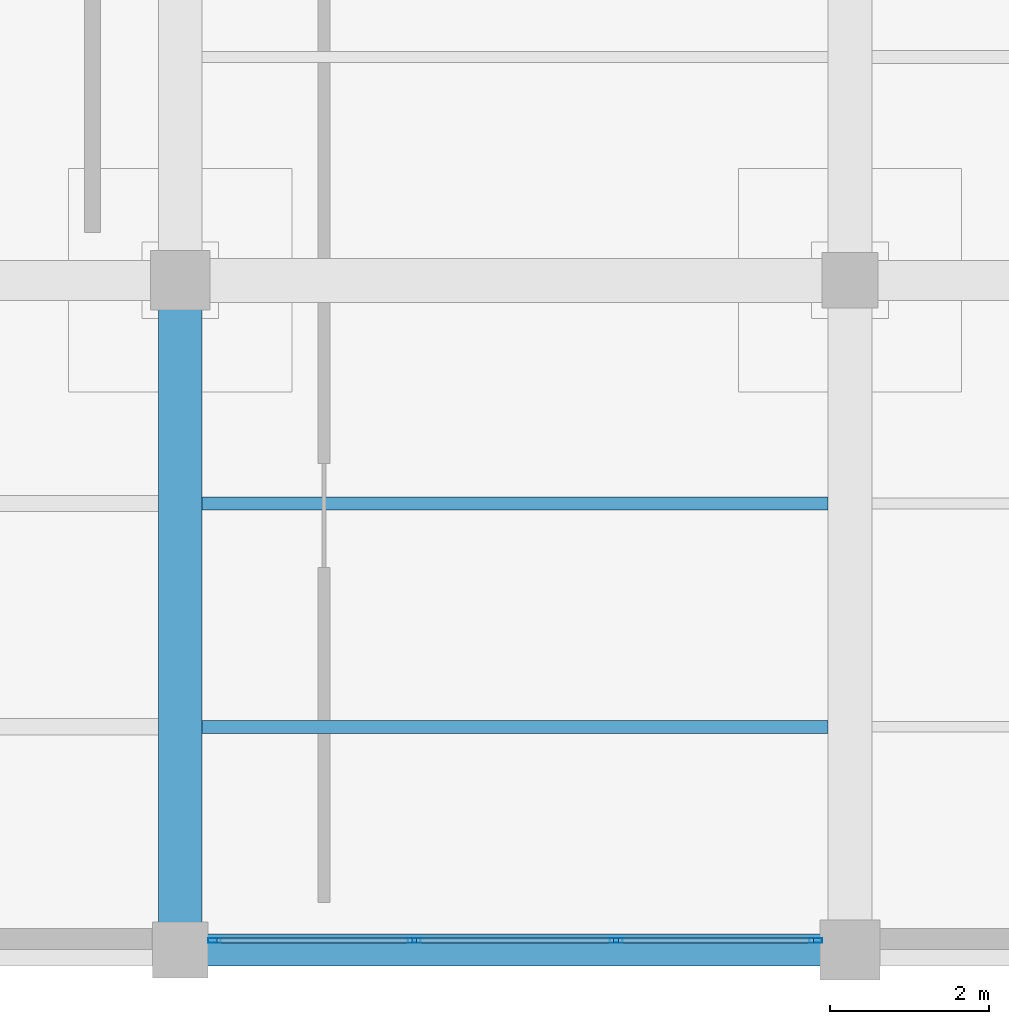
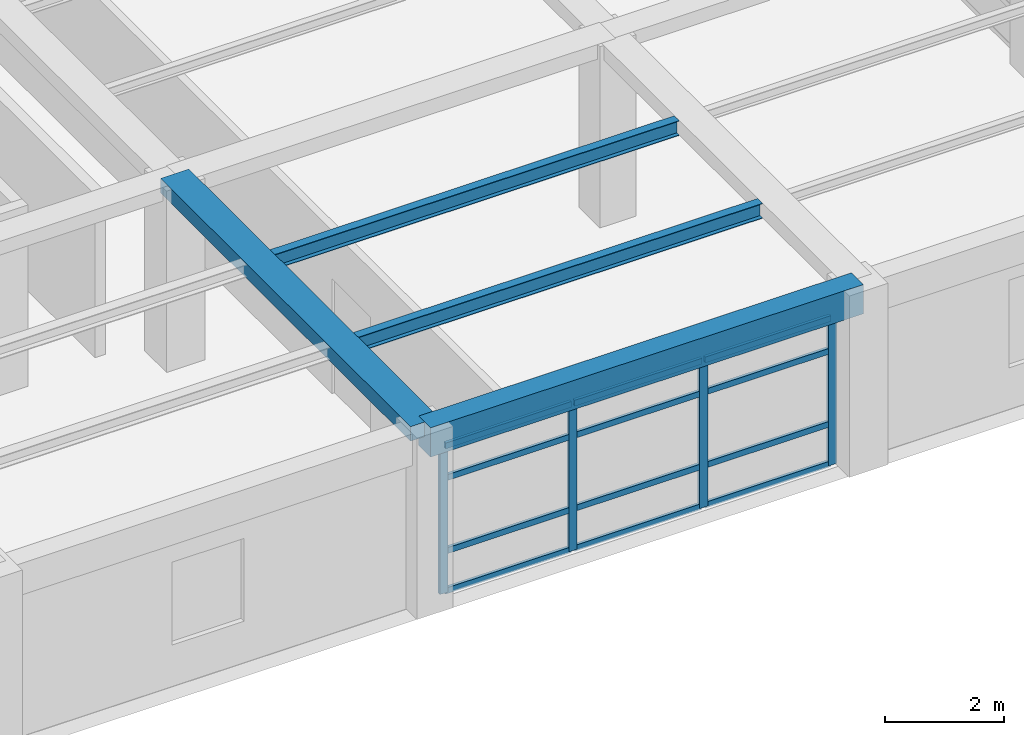
# One storey, part 10 of 26: 16 members, 4 beams, 1 element without a shape of its own.
"""IFC4 building model written with IfcOpenShell, lengths in metres."""

from ifc_helpers import new_model, si_unit, direction, frame, origin, origin_2d, place, context, subcontext, project, spatial, rectangle, hollow_rectangle, i_section, extrude, material, material_profile, profile_set, type_object, element, aggregate, save


model = new_model("IFC4")

# Units and contexts
model_context = context("Model", 3, precision=1e-05, world=origin(), true_north=direction((0.0, 1.0)))
body_context = subcontext(model_context, "Body", "Model", "MODEL_VIEW")
ifc_project = project(units=[si_unit("LENGTHUNIT", "METRE"), si_unit("AREAUNIT", "SQUARE_METRE"), si_unit("VOLUMEUNIT", "CUBIC_METRE"), si_unit("PLANEANGLEUNIT", "RADIAN"), si_unit("MASSUNIT", "GRAM", prefix="KILO")], contexts=[model_context])

# Site, building, storey
site_placement = place(None, origin())
site = spatial("IfcSite", under=ifc_project, at=site_placement, CompositionType="ELEMENT")
building_placement = place(site_placement, origin())
building = spatial("IfcBuilding", under=site, at=building_placement, Name="Almacenes y Pasaje Nevantli", CompositionType="ELEMENT")
storey_placement = place(building_placement, frame((0.0, 0.0, 38.699951171875)))
storey = spatial("IfcBuildingStorey", under=building, at=storey_placement, Name="L09", CompositionType="ELEMENT", Elevation=38.699951171875)

# Beams
ifc_material_1 = material(Name="Concrete C35/45", Category="concrete")
ifc_material_profile_1 = material_profile(ifc_material_1, rectangle(XDim=0.39990234375, YDim=0.60009765625, at=origin_2d()), Name="RC-BM-400x600")
ifc_profile_set_1 = profile_set([ifc_material_profile_1], Name="Concrete C35/45")
beam_type_1 = type_object("IfcBeamType", Name="BM-RC-400x600", PredefinedType="SPANDREL", material=ifc_profile_set_1)
beam_1_placement = place(storey_placement, frame((142.800048828125, 67.199951171875, 3.420166015625), z_axis=(1.0, 0.0, 0.0), x_axis=(0.0, 1.0, 0.0)))
element("IfcBeam", 1, at=beam_1_placement, inside=storey, type_object=beam_type_1, Name="L09 East-West Reinforced Concrete Beam #3745", PredefinedType="SPANDREL", context=body_context, shape_type="SweptSolid", body=[
    extrude(rectangle(XDim=0.39990234375, YDim=0.60009765625, at=origin_2d()), origin(), (0.0, 0.0, 1.0), 8.39990234375),
])
ifc_material_2 = material(Name="Concrete C35/45", Category="concrete")
ifc_material_profile_2 = material_profile(ifc_material_2, rectangle(XDim=0.550048828125, YDim=0.300048828125, at=origin_2d()), Name="RC-BM-550x300")
ifc_profile_set_2 = profile_set([ifc_material_profile_2], Name="Concrete C35/45")
beam_type_2 = type_object("IfcBeamType", Name="BM-RC-550x300", PredefinedType="BEAM", material=ifc_profile_set_2)
beam_2_placement = place(storey_placement, frame((142.800048828125, 67.199951171875, 3.570068359375), z_axis=(0.0, 1.0, 0.0), x_axis=(-1.0, 0.0, 0.0)))
element("IfcBeam", 2, at=beam_2_placement, inside=storey, type_object=beam_type_2, Name="L09 North-South Reinforced Concrete Beam #3785", PredefinedType="BEAM", context=body_context, shape_type="SweptSolid", body=[
    extrude(rectangle(XDim=0.550048828125, YDim=0.300048828125, at=origin_2d()), origin(), (0.0, 0.0, 1.0), 8.400146484375),
])
ifc_material_3 = material(Name="Steel ASTM A992", Category="steel")
ifc_material_profile_3 = material_profile(ifc_material_3, i_section(OverallWidth=0.1650390625, OverallDepth=0.306884765625, WebThickness=0.006591796875, FlangeThickness=0.01025390625, at=origin_2d()), Name="IR 305x44.6")
ifc_profile_set_3 = profile_set([ifc_material_profile_3], Name="Steel ASTM A992")
beam_type_3 = type_object("IfcBeamType", Name="BM-STL-IR-305x44p6", PredefinedType="JOIST", material=ifc_profile_set_3)
for number, where, z_axis, x_axis, name in (
    (3, (143.074951171875, 70.0, 3.55859375), (1.0, 0.0, 0.0), (0.0, 1.0, 0.0), "L09 Secondary Steel Floor Joist #1473"),
    (4, (143.074951171875, 72.800048828125, 3.55859375), (1.0, 0.0, 0.0), (0.0, 1.0, 0.0), "L09 Secondary Steel Floor Joist #1474"),
):
    element("IfcBeam", number, at=place(storey_placement, frame(where, z_axis=z_axis, x_axis=x_axis)), inside=storey, type_object=beam_type_3, Name=name, PredefinedType="JOIST", context=body_context, shape_type="SweptSolid", body=[
        extrude(i_section(OverallWidth=0.1650390625, OverallDepth=0.306884765625, WebThickness=0.006591796875, FlangeThickness=0.01025390625, at=origin_2d()), origin(), (0.0, 0.0, 1.0), 7.85009765625),
    ])

# Curtain wall, members
ifc_material_4 = material(Name="Thermally Broken Aluminium and Low-E Glass", Category="aluminium")
curtain_wall_type = type_object("IfcCurtainWallType", Name="CW-UNIT-TOWER", PredefinedType="USERDEFINED", material=ifc_material_4)
curtain_wall_placement = place(storey_placement, origin())
curtain_wall = element("IfcCurtainWall", 5, at=curtain_wall_placement, inside=storey, type_object=curtain_wall_type, Name="L09 Tower South Unitized Curtain Wall Bay 18", ObjectType="UNITIZED CURTAIN WALL", PredefinedType="USERDEFINED")
ifc_material_5 = material(Name="Thermally Broken Anodized Aluminium", Category="aluminium")
ifc_material_profile_4 = material_profile(ifc_material_5, hollow_rectangle(XDim=0.06005859375, YDim=0.159912109375, WallThickness=0.00390625, at=origin_2d()), Name="ALU-MUL-60x160")
ifc_profile_set_4 = profile_set([ifc_material_profile_4], Name="Thermally Broken Anodized Aluminium")
member_type_1 = type_object("IfcMemberType", Name="CW-MUL-180", PredefinedType="MULLION", material=ifc_profile_set_4)
member_1_placement = place(storey_placement, frame((143.22998046875, 67.320068359375, 0.0), z_axis=(0.0, 0.0, 1.0), x_axis=(0.0, 1.0, 0.0)))
member_1 = element("IfcMember", 6, at=member_1_placement, type_object=member_type_1, Name="CW-L09-135 mullion 1", PredefinedType="MULLION", context=body_context, shape_type="SweptSolid", body=[
    extrude(hollow_rectangle(XDim=0.06005859375, YDim=0.159912109375, WallThickness=0.00390625, at=origin_2d()), origin(), (0.0, 0.0, 1.0), 3.0400390625),
])
member_2_placement = place(storey_placement, frame((145.7333984375, 67.320068359375, 0.0), z_axis=(0.0, 0.0, 1.0), x_axis=(0.0, 1.0, 0.0)))
member_2 = element("IfcMember", 7, at=member_2_placement, type_object=member_type_1, Name="CW-L09-135 mullion 2", PredefinedType="MULLION", context=body_context, shape_type="SweptSolid", body=[
    extrude(hollow_rectangle(XDim=0.06005859375, YDim=0.159912109375, WallThickness=0.00390625, at=origin_2d()), origin(), (0.0, 0.0, 1.0), 3.0400390625),
])
member_3_placement = place(storey_placement, frame((148.2666015625, 67.320068359375, 0.0), z_axis=(0.0, 0.0, 1.0), x_axis=(0.0, 1.0, 0.0)))
member_3 = element("IfcMember", 8, at=member_3_placement, type_object=member_type_1, Name="CW-L09-135 mullion 3", PredefinedType="MULLION", context=body_context, shape_type="SweptSolid", body=[
    extrude(hollow_rectangle(XDim=0.06005859375, YDim=0.159912109375, WallThickness=0.00390625, at=origin_2d()), origin(), (0.0, 0.0, 1.0), 3.0400390625),
])
member_4_placement = place(storey_placement, frame((150.77001953125, 67.320068359375, 0.0), z_axis=(0.0, 0.0, 1.0), x_axis=(0.0, 1.0, 0.0)))
member_4 = element("IfcMember", 9, at=member_4_placement, type_object=member_type_1, Name="CW-L09-135 mullion 4", PredefinedType="MULLION", context=body_context, shape_type="SweptSolid", body=[
    extrude(hollow_rectangle(XDim=0.06005859375, YDim=0.159912109375, WallThickness=0.00390625, at=origin_2d()), origin(), (0.0, 0.0, 1.0), 3.0400390625),
])
ifc_material_6 = material(Name="Thermally Broken Anodized Aluminium", Category="aluminium")
ifc_material_profile_5 = material_profile(ifc_material_6, hollow_rectangle(XDim=0.06005859375, YDim=0.1201171875, WallThickness=0.00341796875, at=origin_2d()), Name="ALU-TRN-60x120")
ifc_profile_set_5 = profile_set([ifc_material_profile_5], Name="Thermally Broken Anodized Aluminium")
member_type_2 = type_object("IfcMemberType", Name="CW-TRN-130", PredefinedType="USERDEFINED", material=ifc_profile_set_5)
member_5_placement = place(storey_placement, frame((143.260009765625, 67.320068359375, 0.030029296875), z_axis=(1.0, 0.0, 0.0), x_axis=(0.0, 1.0, 0.0)))
member_5 = element("IfcMember", 10, at=member_5_placement, type_object=member_type_2, Name="CW-L09-135 transom 1.1", ObjectType="TRANSOM", PredefinedType="USERDEFINED", context=body_context, shape_type="SweptSolid", body=[
    extrude(hollow_rectangle(XDim=0.06005859375, YDim=0.1201171875, WallThickness=0.00341796875, at=origin_2d()), origin(), (0.0, 0.0, 1.0), 2.443359375),
])
member_6_placement = place(storey_placement, frame((143.260009765625, 67.320068359375, 0.85009765625), z_axis=(1.0, 0.0, 0.0), x_axis=(0.0, 1.0, 0.0)))
member_6 = element("IfcMember", 11, at=member_6_placement, type_object=member_type_2, Name="CW-L09-135 transom 1.2", ObjectType="TRANSOM", PredefinedType="USERDEFINED", context=body_context, shape_type="SweptSolid", body=[
    extrude(hollow_rectangle(XDim=0.06005859375, YDim=0.1201171875, WallThickness=0.00341796875, at=origin_2d()), origin(), (0.0, 0.0, 1.0), 2.443359375),
])
member_7_placement = place(storey_placement, frame((143.260009765625, 67.320068359375, 2.35009765625), z_axis=(1.0, 0.0, 0.0), x_axis=(0.0, 1.0, 0.0)))
member_7 = element("IfcMember", 12, at=member_7_placement, type_object=member_type_2, Name="CW-L09-135 transom 1.3", ObjectType="TRANSOM", PredefinedType="USERDEFINED", context=body_context, shape_type="SweptSolid", body=[
    extrude(hollow_rectangle(XDim=0.06005859375, YDim=0.1201171875, WallThickness=0.00341796875, at=origin_2d()), origin(), (0.0, 0.0, 1.0), 2.443359375),
])
member_8_placement = place(storey_placement, frame((143.260009765625, 67.320068359375, 3.010009765625), z_axis=(1.0, 0.0, 0.0), x_axis=(0.0, 1.0, 0.0)))
member_8 = element("IfcMember", 13, at=member_8_placement, type_object=member_type_2, Name="CW-L09-135 transom 1.4", ObjectType="TRANSOM", PredefinedType="USERDEFINED", context=body_context, shape_type="SweptSolid", body=[
    extrude(hollow_rectangle(XDim=0.06005859375, YDim=0.1201171875, WallThickness=0.00341796875, at=origin_2d()), origin(), (0.0, 0.0, 1.0), 2.443359375),
])
member_9_placement = place(storey_placement, frame((145.763427734375, 67.320068359375, 0.030029296875), z_axis=(1.0, 0.0, 0.0), x_axis=(0.0, 1.0, 0.0)))
member_9 = element("IfcMember", 14, at=member_9_placement, type_object=member_type_2, Name="CW-L09-135 transom 2.1", ObjectType="TRANSOM", PredefinedType="USERDEFINED", context=body_context, shape_type="SweptSolid", body=[
    extrude(hollow_rectangle(XDim=0.06005859375, YDim=0.1201171875, WallThickness=0.00341796875, at=origin_2d()), origin(), (0.0, 0.0, 1.0), 2.47314453125),
])
member_10_placement = place(storey_placement, frame((145.763427734375, 67.320068359375, 0.85009765625), z_axis=(1.0, 0.0, 0.0), x_axis=(0.0, 1.0, 0.0)))
member_10 = element("IfcMember", 15, at=member_10_placement, type_object=member_type_2, Name="CW-L09-135 transom 2.2", ObjectType="TRANSOM", PredefinedType="USERDEFINED", context=body_context, shape_type="SweptSolid", body=[
    extrude(hollow_rectangle(XDim=0.06005859375, YDim=0.1201171875, WallThickness=0.00341796875, at=origin_2d()), origin(), (0.0, 0.0, 1.0), 2.47314453125),
])
member_11_placement = place(storey_placement, frame((145.763427734375, 67.320068359375, 2.35009765625), z_axis=(1.0, 0.0, 0.0), x_axis=(0.0, 1.0, 0.0)))
member_11 = element("IfcMember", 16, at=member_11_placement, type_object=member_type_2, Name="CW-L09-135 transom 2.3", ObjectType="TRANSOM", PredefinedType="USERDEFINED", context=body_context, shape_type="SweptSolid", body=[
    extrude(hollow_rectangle(XDim=0.06005859375, YDim=0.1201171875, WallThickness=0.00341796875, at=origin_2d()), origin(), (0.0, 0.0, 1.0), 2.47314453125),
])
member_12_placement = place(storey_placement, frame((145.763427734375, 67.320068359375, 3.010009765625), z_axis=(1.0, 0.0, 0.0), x_axis=(0.0, 1.0, 0.0)))
member_12 = element("IfcMember", 17, at=member_12_placement, type_object=member_type_2, Name="CW-L09-135 transom 2.4", ObjectType="TRANSOM", PredefinedType="USERDEFINED", context=body_context, shape_type="SweptSolid", body=[
    extrude(hollow_rectangle(XDim=0.06005859375, YDim=0.1201171875, WallThickness=0.00341796875, at=origin_2d()), origin(), (0.0, 0.0, 1.0), 2.47314453125),
])
member_13_placement = place(storey_placement, frame((148.296630859375, 67.320068359375, 0.030029296875), z_axis=(1.0, 0.0, 0.0), x_axis=(0.0, 1.0, 0.0)))
member_13 = element("IfcMember", 18, at=member_13_placement, type_object=member_type_2, Name="CW-L09-135 transom 3.1", ObjectType="TRANSOM", PredefinedType="USERDEFINED", context=body_context, shape_type="SweptSolid", body=[
    extrude(hollow_rectangle(XDim=0.06005859375, YDim=0.1201171875, WallThickness=0.00341796875, at=origin_2d()), origin(), (0.0, 0.0, 1.0), 2.443359375),
])
member_14_placement = place(storey_placement, frame((148.296630859375, 67.320068359375, 0.85009765625), z_axis=(1.0, 0.0, 0.0), x_axis=(0.0, 1.0, 0.0)))
member_14 = element("IfcMember", 19, at=member_14_placement, type_object=member_type_2, Name="CW-L09-135 transom 3.2", ObjectType="TRANSOM", PredefinedType="USERDEFINED", context=body_context, shape_type="SweptSolid", body=[
    extrude(hollow_rectangle(XDim=0.06005859375, YDim=0.1201171875, WallThickness=0.00341796875, at=origin_2d()), origin(), (0.0, 0.0, 1.0), 2.443359375),
])
member_15_placement = place(storey_placement, frame((148.296630859375, 67.320068359375, 2.35009765625), z_axis=(1.0, 0.0, 0.0), x_axis=(0.0, 1.0, 0.0)))
member_15 = element("IfcMember", 20, at=member_15_placement, type_object=member_type_2, Name="CW-L09-135 transom 3.3", ObjectType="TRANSOM", PredefinedType="USERDEFINED", context=body_context, shape_type="SweptSolid", body=[
    extrude(hollow_rectangle(XDim=0.06005859375, YDim=0.1201171875, WallThickness=0.00341796875, at=origin_2d()), origin(), (0.0, 0.0, 1.0), 2.443359375),
])
member_16_placement = place(storey_placement, frame((148.296630859375, 67.320068359375, 3.010009765625), z_axis=(1.0, 0.0, 0.0), x_axis=(0.0, 1.0, 0.0)))
member_16 = element("IfcMember", 21, at=member_16_placement, type_object=member_type_2, Name="CW-L09-135 transom 3.4", ObjectType="TRANSOM", PredefinedType="USERDEFINED", context=body_context, shape_type="SweptSolid", body=[
    extrude(hollow_rectangle(XDim=0.06005859375, YDim=0.1201171875, WallThickness=0.00341796875, at=origin_2d()), origin(), (0.0, 0.0, 1.0), 2.443359375),
])
aggregate(curtain_wall, [member_1, member_2, member_3, member_4, member_5, member_6, member_7, member_8, member_9, member_10, member_11, member_12, member_13, member_14, member_15, member_16])

save(model, "model.ifc")
